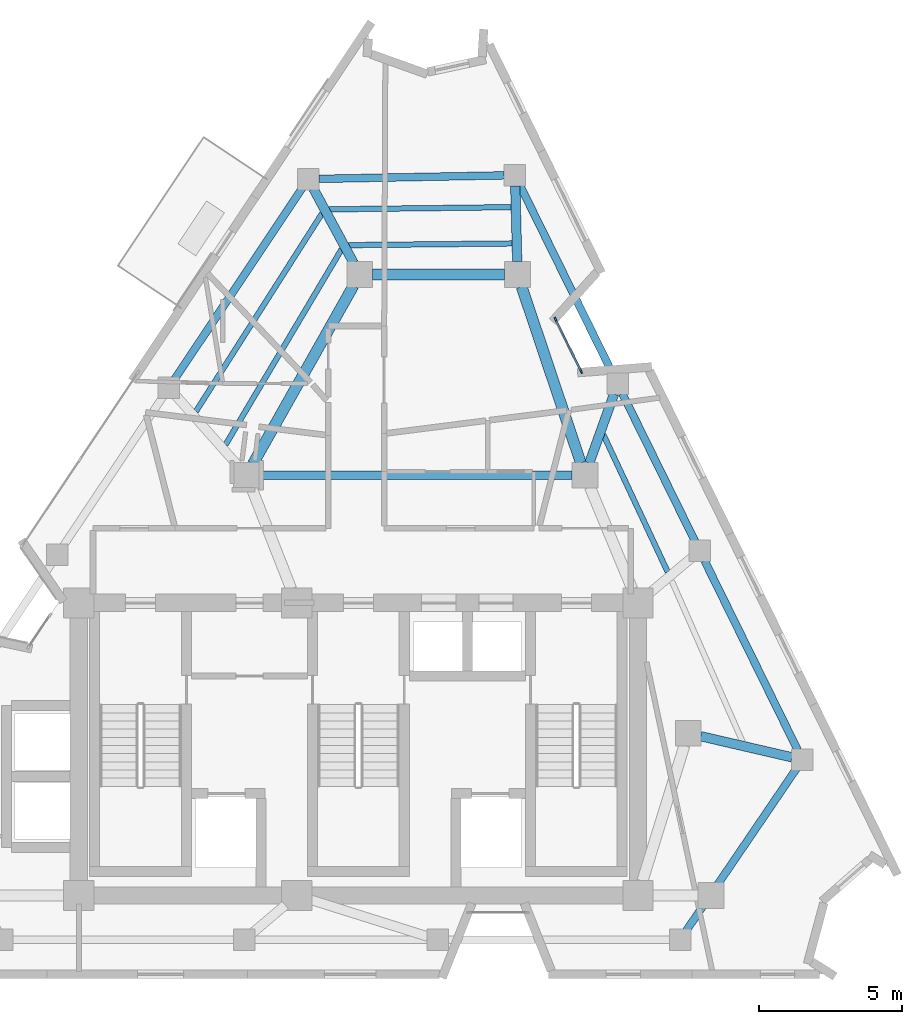
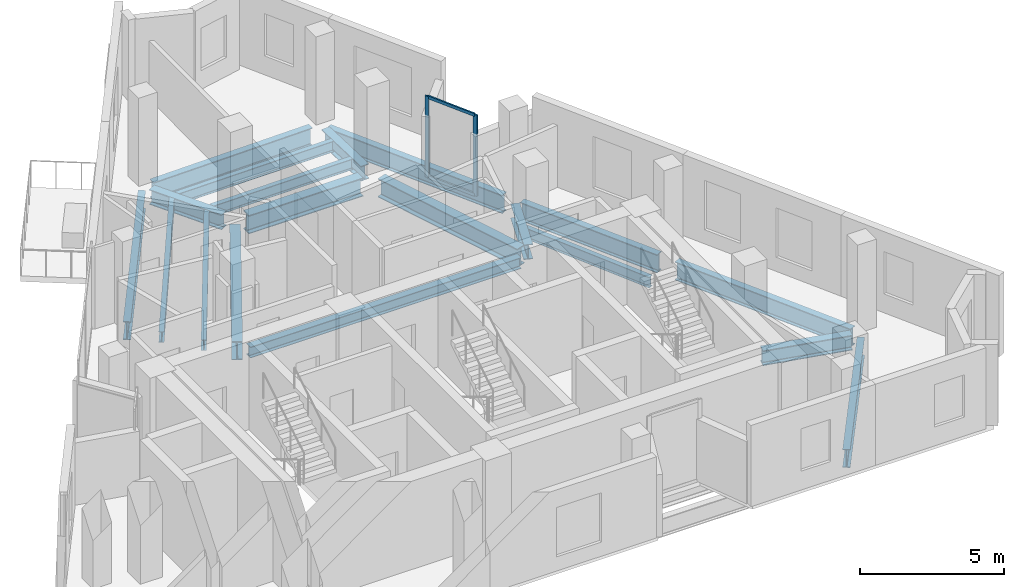
# One storey, part 3 of 8: 19 beams, 4 members, 1 element without a shape of its own.
"""IFC4 building model written with IfcOpenShell, lengths in metres."""

from ifc_helpers import new_model, si_unit, direction, frame, origin, origin_2d, place, context, subcontext, project, spatial, rectangle, i_section, extrude, material, layer, layer_set, material_profile, profile_set, type_object, element, aggregate, save


model = new_model("IFC4")

# Units and contexts
model_context = context("Model", 3, precision=1e-05, world=origin(), true_north=direction((0.0, 1.0)))
body_context = subcontext(model_context, "Body", "Model", "MODEL_VIEW")
ifc_project = project(units=[si_unit("LENGTHUNIT", "METRE"), si_unit("AREAUNIT", "SQUARE_METRE"), si_unit("VOLUMEUNIT", "CUBIC_METRE"), si_unit("PLANEANGLEUNIT", "RADIAN"), si_unit("MASSUNIT", "GRAM", prefix="KILO")], contexts=[model_context])

# Site, building, storey
site_placement = place(None, origin())
site = spatial("IfcSite", under=ifc_project, at=site_placement, CompositionType="ELEMENT")
building_placement = place(site_placement, origin())
building = spatial("IfcBuilding", under=site, at=building_placement, Name="Almagre Mirador Tower", CompositionType="ELEMENT")
storey_placement = place(building_placement, frame((0.0, 0.0, 285.75)))
storey = spatial("IfcBuildingStorey", under=building, at=storey_placement, Name="L74", CompositionType="ELEMENT", Elevation=285.75)

# Beams
ifc_material_1 = material(Name="Steel ASTM A992 Grade 50", Category="steel")
ifc_material_profile_1 = material_profile(ifc_material_1, i_section(OverallWidth=0.281982421875, OverallDepth=0.467041015625, WebThickness=0.01220703125, FlangeThickness=0.01953125, FilletRadius=0.01611328125, at=origin_2d()), Name="W18X86")
ifc_profile_set_1 = profile_set([ifc_material_profile_1], Name="Steel ASTM A992 Grade 50")
beam_type_1 = type_object("IfcBeamType", Name="BM-BAL-W18X86", PredefinedType="JOIST", material=ifc_profile_set_1)
beam_1_placement = place(storey_placement, frame((33.85009765625, 19.199951171875, -0.4833984375), z_axis=(1.0, 0.0, 0.0), x_axis=(0.0, 1.0, 0.0)))
element("IfcBeam", 1, at=beam_1_placement, inside=storey, type_object=beam_type_1, Name="L74 secondary header beam BB-01", PredefinedType="JOIST", context=body_context, shape_type="SweptSolid", body=[
    extrude(i_section(OverallWidth=0.281982421875, OverallDepth=0.467041015625, WebThickness=0.01220703125, FlangeThickness=0.01953125, FilletRadius=0.01611328125, at=origin_2d()), origin(), (0.0, 0.0, 1.0), 10.89990234375),
])
ifc_material_2 = material(Name="Steel ASTM A992 Grade 50", Category="steel")
ifc_material_profile_2 = material_profile(ifc_material_2, i_section(OverallWidth=0.19091796875, OverallDepth=0.4599609375, WebThickness=0.010009765625, FlangeThickness=0.01611328125, FilletRadius=0.01611328125, at=origin_2d()), Name="W18X55")
ifc_profile_set_2 = profile_set([ifc_material_profile_2], Name="Steel ASTM A992 Grade 50")
beam_type_2 = type_object("IfcBeamType", Name="BM-JST-W18X55", PredefinedType="JOIST", material=ifc_profile_set_2)
beam_2_placement = place(storey_placement, frame((48.085693359375, 15.826904296875, -0.47998046875), z_axis=(-0.424251037851, 0.905544618935, 0.0), x_axis=(-0.905544618935, -0.424251037851, 0.0)))
element("IfcBeam", 2, at=beam_2_placement, inside=storey, type_object=beam_type_2, Name="L74 secondary floor joist PC06-PC07.2", PredefinedType="JOIST", context=body_context, shape_type="SweptSolid", body=[
    extrude(i_section(OverallWidth=0.19091796875, OverallDepth=0.4599609375, WebThickness=0.010009765625, FlangeThickness=0.01611328125, FilletRadius=0.01611328125, at=origin_2d()), origin(), (0.0, 0.0, 1.0), 5.302978515625),
])
beam_3_placement = place(storey_placement, frame((42.62451171875, 28.546630859375, -0.47998046875), z_axis=(-0.999926806347, -0.012098840784, 0.0), x_axis=(0.012098840784, -0.999926806347, 0.0)))
element("IfcBeam", 3, at=beam_3_placement, inside=storey, type_object=beam_type_2, Name="L74 secondary floor joist PC08-PC09.1", PredefinedType="JOIST", context=body_context, shape_type="SweptSolid", body=[
    extrude(i_section(OverallWidth=0.19091796875, OverallDepth=0.4599609375, WebThickness=0.010009765625, FlangeThickness=0.01611328125, FilletRadius=0.01611328125, at=origin_2d()), origin(), (0.0, 0.0, 1.0), 6.336181640625),
])
beam_4_placement = place(storey_placement, frame((42.656982421875, 27.281005859375, -0.47998046875), z_axis=(-0.999945713719, -0.010419674461, 0.0), x_axis=(0.010419674461, -0.999945713719, 0.0)))
element("IfcBeam", 4, at=beam_4_placement, inside=storey, type_object=beam_type_2, Name="L74 secondary floor joist PC08-PC09.3", PredefinedType="JOIST", context=body_context, shape_type="SweptSolid", body=[
    extrude(i_section(OverallWidth=0.19091796875, OverallDepth=0.4599609375, WebThickness=0.010009765625, FlangeThickness=0.01611328125, FilletRadius=0.01611328125, at=origin_2d()), origin(), (0.0, 0.0, 1.0), 5.693603515625),
])
beam_5_placement = place(storey_placement, frame((36.03515625, 28.328857421875, -0.47998046875), z_axis=(-0.537483129347, -0.843274501967, 0.0), x_axis=(0.843274501967, -0.537483129347, 0.0)))
element("IfcBeam", 5, at=beam_5_placement, inside=storey, type_object=beam_type_2, Name="L74 secondary floor joist PC09-PC10.1", PredefinedType="JOIST", context=body_context, shape_type="SweptSolid", body=[
    extrude(i_section(OverallWidth=0.19091796875, OverallDepth=0.4599609375, WebThickness=0.010009765625, FlangeThickness=0.01611328125, FilletRadius=0.01611328125, at=origin_2d()), origin(), (0.0, 0.0, 1.0), 8.1875),
])
beam_6_placement = place(storey_placement, frame((36.71435546875, 27.078125, -0.47998046875), z_axis=(-0.510523100762, -0.85986403785, 0.0), x_axis=(0.85986403785, -0.510523100762, 0.0)))
element("IfcBeam", 6, at=beam_6_placement, inside=storey, type_object=beam_type_2, Name="L74 secondary floor joist PC09-PC10.3", PredefinedType="JOIST", context=body_context, shape_type="SweptSolid", body=[
    extrude(i_section(OverallWidth=0.19091796875, OverallDepth=0.4599609375, WebThickness=0.010009765625, FlangeThickness=0.01611328125, FilletRadius=0.01611328125, at=origin_2d()), origin(), (0.0, 0.0, 1.0), 7.927978515625),
])
ifc_material_3 = material(Name="Steel ASTM A992 Grade 50", Category="steel")
ifc_material_profile_3 = material_profile(ifc_material_3, i_section(OverallWidth=0.26708984375, OverallDepth=0.779052734375, WebThickness=0.0166015625, FlangeThickness=0.030029296875, FilletRadius=0.02392578125, at=origin_2d()), Name="W30X148")
ifc_profile_set_3 = profile_set([ifc_material_profile_3], Name="Steel ASTM A992 Grade 50")
beam_type_3 = type_object("IfcBeamType", Name="BM-SPN-W30X148", PredefinedType="SPANDREL", material=ifc_profile_set_3)
beam_7_placement = place(storey_placement, frame((48.726806640625, 3.31005859375, -0.639404296875), z_axis=(0.562310021407, 0.82692650207, 0.0), x_axis=(-0.82692650207, 0.562310021407, 0.0)))
element("IfcBeam", 7, at=beam_7_placement, inside=storey, type_object=beam_type_3, Name="L74 perimeter spandrel beam PC04-PC05", PredefinedType="SPANDREL", context=body_context, shape_type="SweptSolid", body=[
    extrude(i_section(OverallWidth=0.26708984375, OverallDepth=0.779052734375, WebThickness=0.0166015625, FlangeThickness=0.030029296875, FilletRadius=0.02392578125, at=origin_2d()), origin(), (0.0, 0.0, 1.0), 6.842041015625),
])
beam_8_placement = place(storey_placement, frame((52.619384765625, 9.614501953125, -0.639404296875), z_axis=(-0.441261435998, 0.897378596302, 0.0), x_axis=(-0.897378596302, -0.441261435998, 0.0)))
element("IfcBeam", 8, at=beam_8_placement, inside=storey, type_object=beam_type_3, Name="L74 perimeter spandrel beam PC05-PC06", PredefinedType="SPANDREL", context=body_context, shape_type="SweptSolid", body=[
    extrude(i_section(OverallWidth=0.26708984375, OverallDepth=0.779052734375, WebThickness=0.0166015625, FlangeThickness=0.030029296875, FilletRadius=0.02392578125, at=origin_2d()), origin(), (0.0, 0.0, 1.0), 7.362548828125),
])
beam_9_placement = place(storey_placement, frame((49.03955078125, 16.89453125, -0.639404296875), z_axis=(-0.441283159843, 0.897367913867, 0.0), x_axis=(-0.897367913867, -0.441283159843, 0.0)))
element("IfcBeam", 9, at=beam_9_placement, inside=storey, type_object=beam_type_3, Name="L74 perimeter spandrel beam PC06-PC07", PredefinedType="SPANDREL", context=body_context, shape_type="SweptSolid", body=[
    extrude(i_section(OverallWidth=0.26708984375, OverallDepth=0.779052734375, WebThickness=0.0166015625, FlangeThickness=0.030029296875, FilletRadius=0.02392578125, at=origin_2d()), origin(), (0.0, 0.0, 1.0), 5.739990234375),
])
beam_10_placement = place(storey_placement, frame((46.175537109375, 22.718505859375, -0.639404296875), z_axis=(-0.441288138853, 0.897365465408, 0.0), x_axis=(-0.897365465408, -0.441288138853, 0.0)))
element("IfcBeam", 10, at=beam_10_placement, inside=storey, type_object=beam_type_3, Name="L74 perimeter spandrel beam PC07-PC08", PredefinedType="SPANDREL", context=body_context, shape_type="SweptSolid", body=[
    extrude(i_section(OverallWidth=0.26708984375, OverallDepth=0.779052734375, WebThickness=0.0166015625, FlangeThickness=0.030029296875, FilletRadius=0.02392578125, at=origin_2d()), origin(), (0.0, 0.0, 1.0), 7.362548828125),
])
beam_11_placement = place(storey_placement, frame((42.385986328125, 29.65478515625, -0.639404296875), z_axis=(-0.99982288109, -0.018820373253, 0.0), x_axis=(0.018820373253, -0.99982288109, 0.0)))
element("IfcBeam", 11, at=beam_11_placement, inside=storey, type_object=beam_type_3, Name="L74 perimeter spandrel beam PC08-PC09", PredefinedType="SPANDREL", context=body_context, shape_type="SweptSolid", body=[
    extrude(i_section(OverallWidth=0.26708984375, OverallDepth=0.779052734375, WebThickness=0.0166015625, FlangeThickness=0.030029296875, FilletRadius=0.02392578125, at=origin_2d()), origin(), (0.0, 0.0, 1.0), 6.460205078125),
])
beam_12_placement = place(storey_placement, frame((35.34375, 29.214111328125, -0.639404296875), z_axis=(-0.555228061938, -0.831698141898, 0.0), x_axis=(0.831698141898, -0.555228061938, 0.0)))
element("IfcBeam", 12, at=beam_12_placement, inside=storey, type_object=beam_type_3, Name="L74 perimeter spandrel beam PC09-PC10", PredefinedType="SPANDREL", context=body_context, shape_type="SweptSolid", body=[
    extrude(i_section(OverallWidth=0.26708984375, OverallDepth=0.779052734375, WebThickness=0.0166015625, FlangeThickness=0.030029296875, FilletRadius=0.02392578125, at=origin_2d()), origin(), (0.0, 0.0, 1.0), 8.003173828125),
])
ifc_material_4 = material(Name="Steel ASTM A992 Grade 50", Category="steel")
ifc_material_profile_4 = material_profile(ifc_material_4, i_section(OverallWidth=0.330078125, OverallDepth=0.635009765625, WebThickness=0.017822265625, FlangeThickness=0.031005859375, FilletRadius=0.02001953125, at=origin_2d()), Name="W24X162")
ifc_profile_set_4 = profile_set([ifc_material_profile_4], Name="Steel ASTM A992 Grade 50")
beam_type_4 = type_object("IfcBeamType", Name="BM-STL-W24X162", PredefinedType="BEAM", material=ifc_profile_set_4)
beam_13_placement = place(storey_placement, frame((52.419677734375, 9.362548828125, -0.5673828125), z_axis=(-0.974262507949, 0.225416427094, 0.0), x_axis=(-0.225416427094, -0.974262507949, 0.0)))
element("IfcBeam", 13, at=beam_13_placement, inside=storey, type_object=beam_type_4, Name="L74 radial floor girder PC05-MC3", PredefinedType="BEAM", context=body_context, shape_type="SweptSolid", body=[
    extrude(i_section(OverallWidth=0.330078125, OverallDepth=0.635009765625, WebThickness=0.017822265625, FlangeThickness=0.031005859375, FilletRadius=0.02001953125, at=origin_2d()), origin(), (0.0, 0.0, 1.0), 3.265380859375),
])
beam_14_placement = place(storey_placement, frame((46.21435546875, 22.029052734375, -0.5673828125), z_axis=(-0.337528381074, -0.941315352031, 0.0), x_axis=(0.941315352031, -0.337528381074, 0.0)))
element("IfcBeam", 14, at=beam_14_placement, inside=storey, type_object=beam_type_4, Name="L74 radial floor girder PC07-MC5", PredefinedType="BEAM", context=body_context, shape_type="SweptSolid", body=[
    extrude(i_section(OverallWidth=0.330078125, OverallDepth=0.635009765625, WebThickness=0.017822265625, FlangeThickness=0.031005859375, FilletRadius=0.02001953125, at=origin_2d()), origin(), (0.0, 0.0, 1.0), 2.555419921875),
])
beam_15_placement = place(storey_placement, frame((42.7705078125, 29.287109375, -0.5673828125), z_axis=(0.025727456063, -0.99966899422, 0.0), x_axis=(0.99966899422, 0.025727456063, 0.0)))
element("IfcBeam", 15, at=beam_15_placement, inside=storey, type_object=beam_type_4, Name="L74 radial floor girder PC08-MC6", PredefinedType="BEAM", context=body_context, shape_type="SweptSolid", body=[
    extrude(i_section(OverallWidth=0.330078125, OverallDepth=0.635009765625, WebThickness=0.017822265625, FlangeThickness=0.031005859375, FilletRadius=0.02001953125, at=origin_2d()), origin(), (0.0, 0.0, 1.0), 2.63818359375),
])
beam_16_placement = place(storey_placement, frame((35.730224609375, 29.196044921875, -0.5673828125), z_axis=(0.475596501602, -0.879663553675, 0.0), x_axis=(0.879663553675, 0.475596501602, 0.0)))
element("IfcBeam", 16, at=beam_16_placement, inside=storey, type_object=beam_type_4, Name="L74 radial floor girder PC09-MC7", PredefinedType="BEAM", context=body_context, shape_type="SweptSolid", body=[
    extrude(i_section(OverallWidth=0.330078125, OverallDepth=0.635009765625, WebThickness=0.017822265625, FlangeThickness=0.031005859375, FilletRadius=0.02001953125, at=origin_2d()), origin(), (0.0, 0.0, 1.0), 2.955810546875),
])
ifc_material_5 = material(Name="Steel ASTM A992 Grade 50", Category="steel")
ifc_material_profile_5 = material_profile(ifc_material_5, i_section(OverallWidth=0.384033203125, OverallDepth=0.784912109375, WebThickness=0.019775390625, FlangeThickness=0.033447265625, FilletRadius=0.02392578125, at=origin_2d()), Name="W30X211")
ifc_profile_set_5 = profile_set([ifc_material_profile_5], Name="Steel ASTM A992 Grade 50")
beam_type_5 = type_object("IfcBeamType", Name="BM-STL-W30X211", PredefinedType="BEAM", material=ifc_profile_set_5)
beam_17_placement = place(storey_placement, frame((37.800048828125, 26.199951171875, -0.642578125), z_axis=(1.0, 0.0, 0.0), x_axis=(0.0, 1.0, 0.0)))
element("IfcBeam", 17, at=beam_17_placement, inside=storey, type_object=beam_type_5, Name="L74 core tie girder MC7-MC6", PredefinedType="BEAM", context=body_context, shape_type="SweptSolid", body=[
    extrude(i_section(OverallWidth=0.384033203125, OverallDepth=0.784912109375, WebThickness=0.019775390625, FlangeThickness=0.033447265625, FilletRadius=0.02392578125, at=origin_2d()), origin(), (0.0, 0.0, 1.0), 4.599853515625),
])
beam_18_placement = place(storey_placement, frame((42.9931640625, 25.7734375, -0.642578125), z_axis=(0.318282890726, -0.947995781357, 0.0), x_axis=(0.947995781357, 0.318282890726, 0.0)))
element("IfcBeam", 18, at=beam_18_placement, inside=storey, type_object=beam_type_5, Name="L74 core tie girder MC6-MC5", PredefinedType="BEAM", context=body_context, shape_type="SweptSolid", body=[
    extrude(i_section(OverallWidth=0.384033203125, OverallDepth=0.784912109375, WebThickness=0.019775390625, FlangeThickness=0.033447265625, FilletRadius=0.02392578125, at=origin_2d()), origin(), (0.0, 0.0, 1.0), 6.48388671875),
])
beam_19_placement = place(storey_placement, frame((37.12890625, 25.80810546875, -0.642578125), z_axis=(-0.491446261843, -0.870907900825, 0.0), x_axis=(0.870907900825, -0.491446261843, 0.0)))
element("IfcBeam", 19, at=beam_19_placement, inside=storey, type_object=beam_type_5, Name="L74 core tie girder MC7-MC8", PredefinedType="BEAM", context=body_context, shape_type="SweptSolid", body=[
    extrude(i_section(OverallWidth=0.384033203125, OverallDepth=0.784912109375, WebThickness=0.019775390625, FlangeThickness=0.033447265625, FilletRadius=0.02392578125, at=origin_2d()), origin(), (0.0, 0.0, 1.0), 7.1376953125),
])

# Curtain wall, members
ifc_material_6 = material(Name="Black anodized aluminium", Category="aluminium")
ifc_layer = layer(ifc_material_6, 0.169921875)
ifc_layer_set = layer_set([ifc_layer], Name="Black anodized aluminium")
curtain_wall_type = type_object("IfcCurtainWallType", Name="CW-CRS-SYS", PredefinedType="NOTDEFINED", material=ifc_layer_set)
curtain_wall_placement = place(storey_placement, origin())
curtain_wall = element("IfcCurtainWall", 20, at=curtain_wall_placement, inside=storey, type_object=curtain_wall_type, Name="L74 vertical crease curtain wall 03", PredefinedType="NOTDEFINED")
ifc_material_7 = material(Name="Black anodized aluminium", Category="aluminium")
ifc_material_profile_6 = material_profile(ifc_material_7, rectangle(XDim=0.06005859375, YDim=0.14990234375, at=origin_2d()), Name="CWM60X150")
ifc_profile_set_6 = profile_set([ifc_material_profile_6], Name="Black anodized aluminium")
member_type_1 = type_object("IfcMemberType", Name="MBR-CWM60X150", PredefinedType="MULLION", material=ifc_profile_set_6)
member_1_placement = place(storey_placement, frame((44.17333984375, 24.636962890625, 0.0), z_axis=(0.0, 0.0, 1.0), x_axis=(0.897185261147, 0.441654397897, 0.0)))
member_1 = element("IfcMember", 21, at=member_1_placement, type_object=member_type_1, Name="CW-4 mullion 1", PredefinedType="MULLION", context=body_context, shape_type="SweptSolid", body=[
    extrude(rectangle(XDim=0.06005859375, YDim=0.14990234375, at=origin_2d()), origin(), (0.0, 0.0, 1.0), 3.449951171875),
])
member_2_placement = place(storey_placement, frame((45.06982421875, 22.81591796875, 0.0), z_axis=(0.0, 0.0, 1.0), x_axis=(0.897185261147, 0.441654397897, 0.0)))
member_2 = element("IfcMember", 22, at=member_2_placement, type_object=member_type_1, Name="CW-4 mullion 2", PredefinedType="MULLION", context=body_context, shape_type="SweptSolid", body=[
    extrude(rectangle(XDim=0.06005859375, YDim=0.14990234375, at=origin_2d()), origin(), (0.0, 0.0, 1.0), 3.449951171875),
])
ifc_material_8 = material(Name="Black anodized aluminium", Category="aluminium")
ifc_material_profile_7 = material_profile(ifc_material_8, rectangle(XDim=0.06005859375, YDim=0.1298828125, at=origin_2d()), Name="CWT60X130")
ifc_profile_set_7 = profile_set([ifc_material_profile_7], Name="Black anodized aluminium")
member_type_2 = type_object("IfcMemberType", Name="MBR-CWT60X130", PredefinedType="USERDEFINED", material=ifc_profile_set_7)
member_3_placement = place(storey_placement, frame((44.1865234375, 24.610107421875, 0.030029296875), z_axis=(0.441602678749, -0.897210718907, 0.0), x_axis=(0.897210718907, 0.441602678749, 0.0)))
member_3 = element("IfcMember", 23, at=member_3_placement, type_object=member_type_2, Name="CW-4 transom 1.1", ObjectType="TRANSOM", PredefinedType="USERDEFINED", context=body_context, shape_type="SweptSolid", body=[
    extrude(rectangle(XDim=0.06005859375, YDim=0.1298828125, at=origin_2d()), origin(), (0.0, 0.0, 1.0), 1.9697265625),
])
member_4_placement = place(storey_placement, frame((44.1865234375, 24.610107421875, 3.419921875), z_axis=(0.441602678749, -0.897210718907, 0.0), x_axis=(0.897210718907, 0.441602678749, 0.0)))
member_4 = element("IfcMember", 24, at=member_4_placement, type_object=member_type_2, Name="CW-4 transom 1.2", ObjectType="TRANSOM", PredefinedType="USERDEFINED", context=body_context, shape_type="SweptSolid", body=[
    extrude(rectangle(XDim=0.06005859375, YDim=0.1298828125, at=origin_2d()), origin(), (0.0, 0.0, 1.0), 1.9697265625),
])
aggregate(curtain_wall, [member_1, member_2, member_3, member_4])

save(model, "model.ifc")
